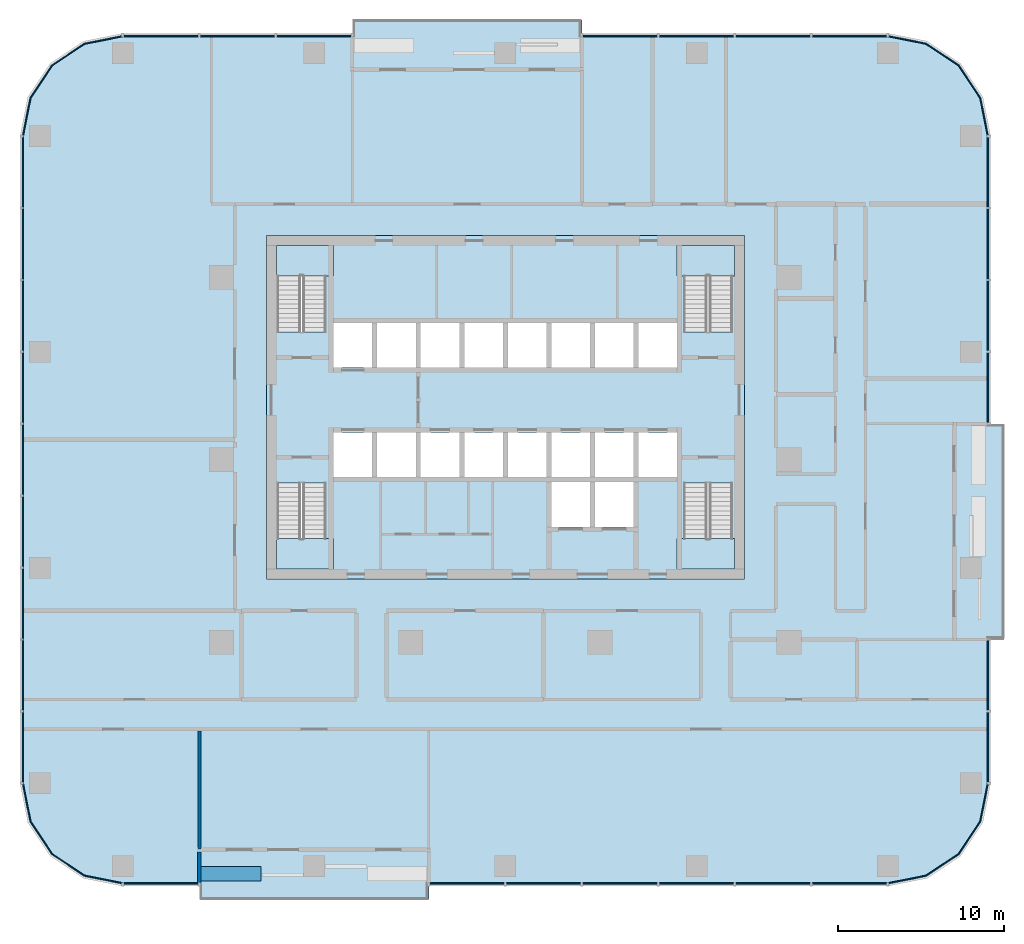
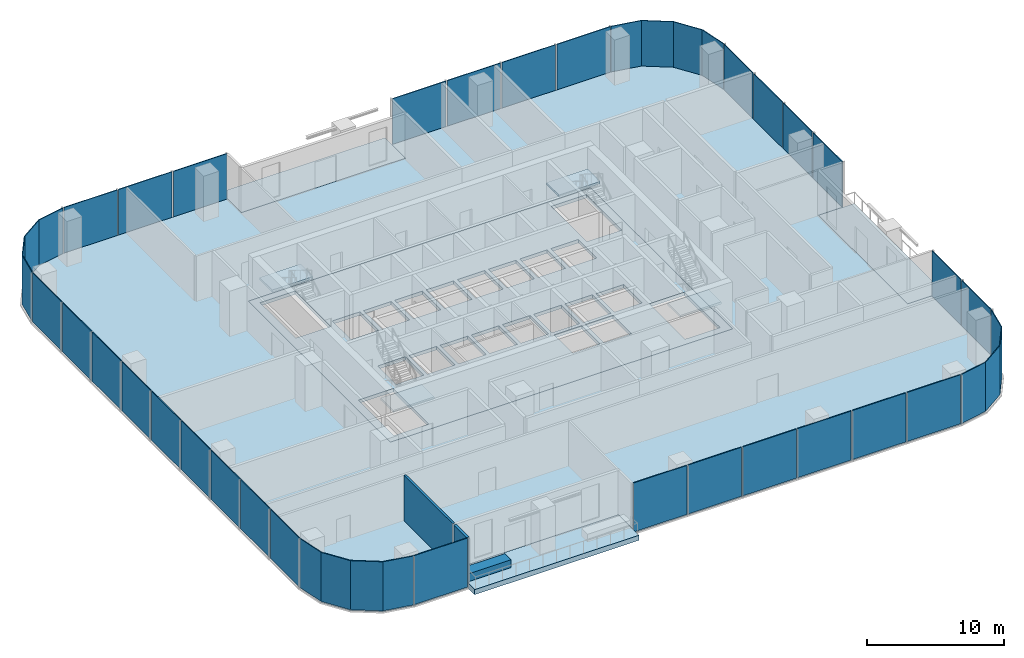
# One storey, part 6 of 14: 33 plates, 9 slabs, 3 walls, 15 elements without a shape of their own.
"""IFC4 building model written with IfcOpenShell, lengths in metres."""

from ifc_helpers import new_model, si_unit, direction, frame, frame_2d, origin, origin_2d, place, context, subcontext, project, spatial, polyline, rectangle, outline, extrude, material, layer, layer_set, type_object, element, aggregate, save


model = new_model("IFC4")

# Units and contexts
model_context = context("Model", 3, precision=1e-05, world=origin(), true_north=direction((0.0, 1.0)))
body_context = subcontext(model_context, "Body", "Model", "MODEL_VIEW")
ifc_project = project(units=[si_unit("LENGTHUNIT", "METRE"), si_unit("AREAUNIT", "SQUARE_METRE"), si_unit("VOLUMEUNIT", "CUBIC_METRE"), si_unit("PLANEANGLEUNIT", "RADIAN"), si_unit("MASSUNIT", "GRAM", prefix="KILO")], contexts=[model_context])

# Site, building, storey
site_placement = place(None, origin())
site = spatial("IfcSite", under=ifc_project, at=site_placement, CompositionType="ELEMENT")
building_placement = place(site_placement, origin())
building = spatial("IfcBuilding", under=site, at=building_placement, Name="Mopane Tessera Tower", CompositionType="ELEMENT")
storey_placement = place(building_placement, frame((0.0, 0.0, 126.10009765625)))
storey = spatial("IfcBuildingStorey", under=building, at=storey_placement, Name="L25", CompositionType="ELEMENT", Elevation=126.10009765625)

# Slab
ifc_material_1 = material(Name="Concrete C40/50", Category="concrete")
ifc_layer_1 = layer(ifc_material_1, 0.300048828125)
ifc_layer_set_1 = layer_set([ifc_layer_1], Name="Concrete C40/50")
slab_type_1 = type_object("IfcSlabType", Name="Core floor slab 300 mm", PredefinedType="FLOOR", material=ifc_layer_set_1)
slab_1_placement = place(storey_placement, frame((0.0, 0.0, -0.300048828125)))
element("IfcSlab", 1, at=slab_1_placement, inside=storey, type_object=slab_type_1, Name="L25 core floor slab", PredefinedType="FLOOR", context=body_context, shape_type="SweptSolid", body=[
    extrude(outline(polyline([(-14.39990234375, -7.199951171875), (14.39990234375, -7.199951171875), (14.39990234375, 13.5), (-14.39990234375, 13.5), (-14.39990234375, -7.199951171875)]), holes=[polyline([(-10.35009765625, -1.050048828125), (-8.02490234375, -1.050048828125), (-8.02490234375, 1.64990234375), (-10.35009765625, 1.64990234375), (-10.35009765625, -1.050048828125)]), polyline([(-7.72509765625, -1.050048828125), (-5.39990234375, -1.050048828125), (-5.39990234375, 1.64990234375), (-7.72509765625, 1.64990234375), (-7.72509765625, -1.050048828125)]), polyline([(-5.10009765625, -1.050048828125), (-2.77490234375, -1.050048828125), (-2.77490234375, 1.64990234375), (-5.10009765625, 1.64990234375), (-5.10009765625, -1.050048828125)]), polyline([(-2.47509765625, -1.050048828125), (-0.14990234375, -1.050048828125), (-0.14990234375, 1.64990234375), (-2.47509765625, 1.64990234375), (-2.47509765625, -1.050048828125)]), polyline([(0.14990234375, -1.050048828125), (2.47509765625, -1.050048828125), (2.47509765625, 1.64990234375), (0.14990234375, 1.64990234375), (0.14990234375, -1.050048828125)]), polyline([(2.77490234375, -1.050048828125), (5.10009765625, -1.050048828125), (5.10009765625, 1.64990234375), (2.77490234375, 1.64990234375), (2.77490234375, -1.050048828125)]), polyline([(5.39990234375, -1.050048828125), (7.72509765625, -1.050048828125), (7.72509765625, 1.64990234375), (5.39990234375, 1.64990234375), (5.39990234375, -1.050048828125)]), polyline([(8.02490234375, -1.050048828125), (10.35009765625, -1.050048828125), (10.35009765625, 1.64990234375), (8.02490234375, 1.64990234375), (8.02490234375, -1.050048828125)]), polyline([(-10.35009765625, 5.550048828125), (-8.02490234375, 5.550048828125), (-8.02490234375, 8.25), (-10.35009765625, 8.25), (-10.35009765625, 5.550048828125)]), polyline([(-7.72509765625, 5.550048828125), (-5.39990234375, 5.550048828125), (-5.39990234375, 8.25), (-7.72509765625, 8.25), (-7.72509765625, 5.550048828125)]), polyline([(-5.10009765625, 5.550048828125), (-2.77490234375, 5.550048828125), (-2.77490234375, 8.25), (-5.10009765625, 8.25), (-5.10009765625, 5.550048828125)]), polyline([(-2.47509765625, 5.550048828125), (-0.14990234375, 5.550048828125), (-0.14990234375, 8.25), (-2.47509765625, 8.25), (-2.47509765625, 5.550048828125)]), polyline([(0.14990234375, 5.550048828125), (2.47509765625, 5.550048828125), (2.47509765625, 8.25), (0.14990234375, 8.25), (0.14990234375, 5.550048828125)]), polyline([(2.77490234375, 5.550048828125), (5.10009765625, 5.550048828125), (5.10009765625, 8.25), (2.77490234375, 8.25), (2.77490234375, 5.550048828125)]), polyline([(5.39990234375, 5.550048828125), (7.72509765625, 5.550048828125), (7.72509765625, 8.25), (5.39990234375, 8.25), (5.39990234375, 5.550048828125)]), polyline([(8.02490234375, 5.550048828125), (10.35009765625, 5.550048828125), (10.35009765625, 8.25), (8.02490234375, 8.25), (8.02490234375, 5.550048828125)]), polyline([(2.77490234375, -4.050048828125), (5.10009765625, -4.050048828125), (5.10009765625, -1.35009765625), (2.77490234375, -1.35009765625), (2.77490234375, -4.050048828125)]), polyline([(5.39990234375, -4.050048828125), (7.72509765625, -4.050048828125), (7.72509765625, -1.35009765625), (5.39990234375, -1.35009765625), (5.39990234375, -4.050048828125)]), polyline([(-13.75, -1.405029296875), (-13.75, -6.60009765625), (-10.800048828125, -6.60009765625), (-10.800048828125, -1.405029296875), (-13.75, -1.405029296875)]), polyline([(-10.800048828125, 7.705078125), (-10.800048828125, 12.89990234375), (-13.75, 12.89990234375), (-13.75, 7.705078125), (-10.800048828125, 7.705078125)]), polyline([(10.75, -1.405029296875), (10.75, -6.60009765625), (13.699951171875, -6.60009765625), (13.699951171875, -1.405029296875), (10.75, -1.405029296875)]), polyline([(13.699951171875, 7.705078125), (13.699951171875, 12.89990234375), (10.75, 12.89990234375), (10.75, 7.705078125), (13.699951171875, 7.705078125)])]), origin(), (0.0, 0.0, 1.0), 0.300048828125),
])

# Stair, slab
ifc_material_2 = material(Name="Concrete C50/60", Category="concrete")
stair_type = type_object("IfcStairType", Name="Escape stair 1400 mm, riser 173 mm", PredefinedType="HALF_TURN_STAIR", material=ifc_material_2)
stair_1_placement = place(storey_placement, origin())
stair_1 = element("IfcStair", 2, at=stair_1_placement, inside=storey, type_object=stair_type, Name="L25 Escape stair south-west", PredefinedType="HALF_TURN_STAIR")
ifc_material_3 = material(Name="Concrete C50/60", Category="concrete")
ifc_layer_2 = layer(ifc_material_3, 0.199951171875)
ifc_layer_set_2 = layer_set([ifc_layer_2], Name="Concrete C50/60")
slab_type_2 = type_object("IfcSlabType", Name="Escape stair landing 200 mm", PredefinedType="LANDING", material=ifc_layer_set_2)
slab_2_placement = place(storey_placement, frame((0.0, 0.0, 2.0498046875)))
slab_2 = element("IfcSlab", 3, at=slab_2_placement, type_object=slab_type_2, Name="ST1 landing 1", PredefinedType="LANDING", context=body_context, shape_type="SweptSolid", body=[
    extrude(outline(polyline([(-13.800048828125, -4.760009765625), (-13.800048828125, -6.60009765625), (-10.35009765625, -6.60009765625), (-10.35009765625, -4.760009765625), (-13.800048828125, -4.760009765625)])), origin(), (0.0, 0.0, 1.0), 0.2001953125),
])
aggregate(stair_1, [slab_2])

stair_2_placement = place(storey_placement, origin())
stair_2 = element("IfcStair", 4, at=stair_2_placement, inside=storey, type_object=stair_type, Name="L25 Escape stair north-west", PredefinedType="HALF_TURN_STAIR")
slab_3_placement = place(storey_placement, frame((0.0, 0.0, 2.0498046875)))
slab_3 = element("IfcSlab", 5, at=slab_3_placement, type_object=slab_type_2, Name="ST2 landing 1", PredefinedType="LANDING", context=body_context, shape_type="SweptSolid", body=[
    extrude(outline(polyline([(-10.35009765625, 11.06005859375), (-10.35009765625, 12.89990234375), (-13.800048828125, 12.89990234375), (-13.800048828125, 11.06005859375), (-10.35009765625, 11.06005859375)])), origin(), (0.0, 0.0, 1.0), 0.2001953125),
])
aggregate(stair_2, [slab_3])

stair_3_placement = place(storey_placement, origin())
stair_3 = element("IfcStair", 6, at=stair_3_placement, inside=storey, type_object=stair_type, Name="L25 Escape stair south-east", PredefinedType="HALF_TURN_STAIR")
slab_4_placement = place(storey_placement, frame((0.0, 0.0, 2.0498046875)))
slab_4 = element("IfcSlab", 7, at=slab_4_placement, type_object=slab_type_2, Name="ST3 landing 1", PredefinedType="LANDING", context=body_context, shape_type="SweptSolid", body=[
    extrude(outline(polyline([(10.35009765625, -4.760009765625), (10.35009765625, -6.60009765625), (13.800048828125, -6.60009765625), (13.800048828125, -4.760009765625), (10.35009765625, -4.760009765625)])), origin(), (0.0, 0.0, 1.0), 0.2001953125),
])
aggregate(stair_3, [slab_4])

stair_4_placement = place(storey_placement, origin())
stair_4 = element("IfcStair", 8, at=stair_4_placement, inside=storey, type_object=stair_type, Name="L25 Escape stair north-east", PredefinedType="HALF_TURN_STAIR")
slab_5_placement = place(storey_placement, frame((0.0, 0.0, 2.0498046875)))
slab_5 = element("IfcSlab", 9, at=slab_5_placement, type_object=slab_type_2, Name="ST4 landing 1", PredefinedType="LANDING", context=body_context, shape_type="SweptSolid", body=[
    extrude(outline(polyline([(13.800048828125, 11.06005859375), (13.800048828125, 12.89990234375), (10.35009765625, 12.89990234375), (10.35009765625, 11.06005859375), (13.800048828125, 11.06005859375)])), origin(), (0.0, 0.0, 1.0), 0.2001953125),
])
aggregate(stair_4, [slab_5])

# Curtain wall, plate
ifc_material_4 = material(Name="Aluminium frame", Category="aluminium")
curtain_wall_type = type_object("IfcCurtainWallType", Name="Lower tower unitised wall", PredefinedType="NOTDEFINED", material=ifc_material_4)
curtain_wall_1_placement = place(storey_placement, origin())
curtain_wall_1 = element("IfcCurtainWall", 10, at=curtain_wall_1_placement, inside=storey, type_object=curtain_wall_type, Name="e:cw:L25:S:0", PredefinedType="NOTDEFINED")
ifc_material_5 = material(Name="Clear laminated glass", Category="glass")
ifc_layer_3 = layer(ifc_material_5, 0.070068359375)
ifc_layer_set_3 = layer_set([ifc_layer_3], Name="Clear laminated glass")
plate_type = type_object("IfcPlateType", Name="Laminated glazed unit 70", PredefinedType="CURTAIN_PANEL", material=ifc_layer_set_3)
plate_1_placement = place(storey_placement, frame((-20.7451171875, -25.534912109375, -0.31005859375), z_axis=(0.0, 0.0, 1.0), x_axis=(1.0, 0.0, 0.0)))
plate_1 = element("IfcPlate", 11, at=plate_1_placement, type_object=plate_type, Name="e:cw:L25:S:0:pn0", PredefinedType="CURTAIN_PANEL", context=body_context, shape_type="SweptSolid", body=[
    extrude(rectangle(XDim=4.5, YDim=0.070068359375, at=origin_2d()), origin(), (0.0, 0.0, 1.0), 4.360107421875),
])
aggregate(curtain_wall_1, [plate_1])

# Curtain wall, plates
curtain_wall_2_placement = place(storey_placement, origin())
curtain_wall_2 = element("IfcCurtainWall", 12, at=curtain_wall_2_placement, inside=storey, type_object=curtain_wall_type, Name="e:cw:L25:S:4", PredefinedType="NOTDEFINED")
plate_2_placement = place(storey_placement, frame((-2.304931640625, -25.534912109375, -0.31005859375), z_axis=(0.0, 0.0, 1.0), x_axis=(1.0, 0.0, 0.0)))
plate_2 = element("IfcPlate", 13, at=plate_2_placement, type_object=plate_type, Name="e:cw:L25:S:4:pn4", PredefinedType="CURTAIN_PANEL", context=body_context, shape_type="SweptSolid", body=[
    extrude(rectangle(XDim=4.5, YDim=0.070068359375, at=origin_2d()), origin(), (0.0, 0.0, 1.0), 4.360107421875),
])
plate_3_placement = place(storey_placement, frame((2.304931640625, -25.534912109375, -0.31005859375), z_axis=(0.0, 0.0, 1.0), x_axis=(1.0, 0.0, 0.0)))
plate_3 = element("IfcPlate", 14, at=plate_3_placement, type_object=plate_type, Name="e:cw:L25:S:4:pn5", PredefinedType="CURTAIN_PANEL", context=body_context, shape_type="SweptSolid", body=[
    extrude(rectangle(XDim=4.5, YDim=0.070068359375, at=origin_2d()), origin(), (0.0, 0.0, 1.0), 4.360107421875),
])
plate_4_placement = place(storey_placement, frame((6.9150390625, -25.534912109375, -0.31005859375), z_axis=(0.0, 0.0, 1.0), x_axis=(1.0, 0.0, 0.0)))
plate_4 = element("IfcPlate", 15, at=plate_4_placement, type_object=plate_type, Name="e:cw:L25:S:4:pn6", PredefinedType="CURTAIN_PANEL", context=body_context, shape_type="SweptSolid", body=[
    extrude(rectangle(XDim=4.5, YDim=0.070068359375, at=origin_2d()), origin(), (0.0, 0.0, 1.0), 4.360107421875),
])
plate_5_placement = place(storey_placement, frame((11.52490234375, -25.534912109375, -0.31005859375), z_axis=(0.0, 0.0, 1.0), x_axis=(1.0, 0.0, 0.0)))
plate_5 = element("IfcPlate", 16, at=plate_5_placement, type_object=plate_type, Name="e:cw:L25:S:4:pn7", PredefinedType="CURTAIN_PANEL", context=body_context, shape_type="SweptSolid", body=[
    extrude(rectangle(XDim=4.5, YDim=0.070068359375, at=origin_2d()), origin(), (0.0, 0.0, 1.0), 4.360107421875),
])
plate_6_placement = place(storey_placement, frame((16.135009765625, -25.534912109375, -0.31005859375), z_axis=(0.0, 0.0, 1.0), x_axis=(1.0, 0.0, 0.0)))
plate_6 = element("IfcPlate", 17, at=plate_6_placement, type_object=plate_type, Name="e:cw:L25:S:4:pn8", PredefinedType="CURTAIN_PANEL", context=body_context, shape_type="SweptSolid", body=[
    extrude(rectangle(XDim=4.5, YDim=0.070068359375, at=origin_2d()), origin(), (0.0, 0.0, 1.0), 4.360107421875),
])
plate_7_placement = place(storey_placement, frame((20.7451171875, -25.534912109375, -0.31005859375), z_axis=(0.0, 0.0, 1.0), x_axis=(1.0, 0.0, 0.0)))
plate_7 = element("IfcPlate", 18, at=plate_7_placement, type_object=plate_type, Name="e:cw:L25:S:4:pn9", PredefinedType="CURTAIN_PANEL", context=body_context, shape_type="SweptSolid", body=[
    extrude(rectangle(XDim=4.5, YDim=0.070068359375, at=origin_2d()), origin(), (0.0, 0.0, 1.0), 4.360107421875),
])
aggregate(curtain_wall_2, [plate_2, plate_3, plate_4, plate_5, plate_6, plate_7])

# Curtain wall, plate
curtain_wall_3_placement = place(storey_placement, origin())
curtain_wall_3 = element("IfcCurtainWall", 19, at=curtain_wall_3_placement, inside=storey, type_object=curtain_wall_type, Name="e:cw:L25:CS", PredefinedType="NOTDEFINED")
plate_8_placement = place(storey_placement, frame((0.0, 0.0, -0.31005859375)))
plate_8 = element("IfcPlate", 20, at=plate_8_placement, type_object=plate_type, Name="e:cw:L25:CS:pn", PredefinedType="CURTAIN_PANEL", context=body_context, shape_type="SweptSolid", body=[
    extrude(outline(polyline([(23.050048828125, -25.5), (25.34619140625, -25.043212890625), (27.292724609375, -23.74267578125), (28.59326171875, -21.796142578125), (29.050048828125, -19.5), (29.1201171875, -19.5), (28.657958984375, -21.822998046875), (27.342041015625, -23.792236328125), (25.372802734375, -25.10791015625), (23.050048828125, -25.570068359375), (23.050048828125, -25.5)])), origin(), (0.0, 0.0, 1.0), 4.35986328125),
])
aggregate(curtain_wall_3, [plate_8])

# Curtain wall, plates
curtain_wall_4_placement = place(storey_placement, origin())
curtain_wall_4 = element("IfcCurtainWall", 21, at=curtain_wall_4_placement, inside=storey, type_object=curtain_wall_type, Name="e:cw:L25:E:0", PredefinedType="NOTDEFINED")
plate_9_placement = place(storey_placement, frame((29.0849609375, -17.333251953125, -0.31005859375), z_axis=(0.0, 0.0, 1.0), x_axis=(0.0, 1.0, 0.0)))
plate_9 = element("IfcPlate", 22, at=plate_9_placement, type_object=plate_type, Name="e:cw:L25:E:0:pn0", PredefinedType="CURTAIN_PANEL", context=body_context, shape_type="SweptSolid", body=[
    extrude(rectangle(XDim=4.223388671875, YDim=0.070068359375, at=origin_2d()), origin(), (0.0, 0.0, 1.0), 4.360107421875),
])
plate_10_placement = place(storey_placement, frame((29.0849609375, -13.0, -0.31005859375), z_axis=(0.0, 0.0, 1.0), x_axis=(0.0, 1.0, 0.0)))
plate_10 = element("IfcPlate", 23, at=plate_10_placement, type_object=plate_type, Name="e:cw:L25:E:0:pn1", PredefinedType="CURTAIN_PANEL", context=body_context, shape_type="SweptSolid", body=[
    extrude(rectangle(XDim=4.223388671875, YDim=0.070068359375, at=origin_2d()), origin(), (0.0, 0.0, 1.0), 4.360107421875),
])
aggregate(curtain_wall_4, [plate_9, plate_10])

curtain_wall_5_placement = place(storey_placement, origin())
curtain_wall_5 = element("IfcCurtainWall", 24, at=curtain_wall_5_placement, inside=storey, type_object=curtain_wall_type, Name="e:cw:L25:E:5", PredefinedType="NOTDEFINED")
plate_11_placement = place(storey_placement, frame((29.0849609375, 4.333251953125, -0.31005859375), z_axis=(0.0, 0.0, 1.0), x_axis=(0.0, 1.0, 0.0)))
plate_11 = element("IfcPlate", 25, at=plate_11_placement, type_object=plate_type, Name="e:cw:L25:E:5:pn5", PredefinedType="CURTAIN_PANEL", context=body_context, shape_type="SweptSolid", body=[
    extrude(rectangle(XDim=4.223388671875, YDim=0.070068359375, at=origin_2d()), origin(), (0.0, 0.0, 1.0), 4.360107421875),
])
plate_12_placement = place(storey_placement, frame((29.0849609375, 8.666748046875, -0.31005859375), z_axis=(0.0, 0.0, 1.0), x_axis=(0.0, 1.0, 0.0)))
plate_12 = element("IfcPlate", 26, at=plate_12_placement, type_object=plate_type, Name="e:cw:L25:E:5:pn6", PredefinedType="CURTAIN_PANEL", context=body_context, shape_type="SweptSolid", body=[
    extrude(rectangle(XDim=4.223388671875, YDim=0.070068359375, at=origin_2d()), origin(), (0.0, 0.0, 1.0), 4.360107421875),
])
plate_13_placement = place(storey_placement, frame((29.0849609375, 13.0, -0.31005859375), z_axis=(0.0, 0.0, 1.0), x_axis=(0.0, 1.0, 0.0)))
plate_13 = element("IfcPlate", 27, at=plate_13_placement, type_object=plate_type, Name="e:cw:L25:E:5:pn7", PredefinedType="CURTAIN_PANEL", context=body_context, shape_type="SweptSolid", body=[
    extrude(rectangle(XDim=4.223388671875, YDim=0.070068359375, at=origin_2d()), origin(), (0.0, 0.0, 1.0), 4.360107421875),
])
plate_14_placement = place(storey_placement, frame((29.0849609375, 17.333251953125, -0.31005859375), z_axis=(0.0, 0.0, 1.0), x_axis=(0.0, 1.0, 0.0)))
plate_14 = element("IfcPlate", 28, at=plate_14_placement, type_object=plate_type, Name="e:cw:L25:E:5:pn8", PredefinedType="CURTAIN_PANEL", context=body_context, shape_type="SweptSolid", body=[
    extrude(rectangle(XDim=4.223388671875, YDim=0.070068359375, at=origin_2d()), origin(), (0.0, 0.0, 1.0), 4.360107421875),
])
aggregate(curtain_wall_5, [plate_11, plate_12, plate_13, plate_14])

# Curtain wall, plate
curtain_wall_6_placement = place(storey_placement, origin())
curtain_wall_6 = element("IfcCurtainWall", 29, at=curtain_wall_6_placement, inside=storey, type_object=curtain_wall_type, Name="e:cw:L25:CE", PredefinedType="NOTDEFINED")
plate_15_placement = place(storey_placement, frame((0.0, 0.0, -0.31005859375)))
plate_15 = element("IfcPlate", 30, at=plate_15_placement, type_object=plate_type, Name="e:cw:L25:CE:pn", PredefinedType="CURTAIN_PANEL", context=body_context, shape_type="SweptSolid", body=[
    extrude(outline(polyline([(29.050048828125, 19.5), (28.59326171875, 21.796142578125), (27.292724609375, 23.74267578125), (25.34619140625, 25.043212890625), (23.050048828125, 25.5), (23.050048828125, 25.570068359375), (25.372802734375, 25.10791015625), (27.342041015625, 23.792236328125), (28.657958984375, 21.822998046875), (29.1201171875, 19.5), (29.050048828125, 19.5)])), origin(), (0.0, 0.0, 1.0), 4.35986328125),
])
aggregate(curtain_wall_6, [plate_15])

# Curtain wall, plates
curtain_wall_7_placement = place(storey_placement, origin())
curtain_wall_7 = element("IfcCurtainWall", 31, at=curtain_wall_7_placement, inside=storey, type_object=curtain_wall_type, Name="e:cw:L25:N:0", PredefinedType="NOTDEFINED")
plate_16_placement = place(storey_placement, frame((20.7451171875, 25.534912109375, -0.31005859375), z_axis=(0.0, 0.0, 1.0), x_axis=(-1.0, 0.0, 0.0)))
plate_16 = element("IfcPlate", 32, at=plate_16_placement, type_object=plate_type, Name="e:cw:L25:N:0:pn0", PredefinedType="CURTAIN_PANEL", context=body_context, shape_type="SweptSolid", body=[
    extrude(rectangle(XDim=4.5, YDim=0.070068359375, at=origin_2d()), origin(), (0.0, 0.0, 1.0), 4.360107421875),
])
plate_17_placement = place(storey_placement, frame((16.135009765625, 25.534912109375, -0.31005859375), z_axis=(0.0, 0.0, 1.0), x_axis=(-1.0, 0.0, 0.0)))
plate_17 = element("IfcPlate", 33, at=plate_17_placement, type_object=plate_type, Name="e:cw:L25:N:0:pn1", PredefinedType="CURTAIN_PANEL", context=body_context, shape_type="SweptSolid", body=[
    extrude(rectangle(XDim=4.5, YDim=0.070068359375, at=origin_2d()), origin(), (0.0, 0.0, 1.0), 4.360107421875),
])
plate_18_placement = place(storey_placement, frame((11.52490234375, 25.534912109375, -0.31005859375), z_axis=(0.0, 0.0, 1.0), x_axis=(-1.0, 0.0, 0.0)))
plate_18 = element("IfcPlate", 34, at=plate_18_placement, type_object=plate_type, Name="e:cw:L25:N:0:pn2", PredefinedType="CURTAIN_PANEL", context=body_context, shape_type="SweptSolid", body=[
    extrude(rectangle(XDim=4.5, YDim=0.070068359375, at=origin_2d()), origin(), (0.0, 0.0, 1.0), 4.360107421875),
])
plate_19_placement = place(storey_placement, frame((6.9150390625, 25.534912109375, -0.31005859375), z_axis=(0.0, 0.0, 1.0), x_axis=(-1.0, 0.0, 0.0)))
plate_19 = element("IfcPlate", 35, at=plate_19_placement, type_object=plate_type, Name="e:cw:L25:N:0:pn3", PredefinedType="CURTAIN_PANEL", context=body_context, shape_type="SweptSolid", body=[
    extrude(rectangle(XDim=4.5, YDim=0.070068359375, at=origin_2d()), origin(), (0.0, 0.0, 1.0), 4.360107421875),
])
aggregate(curtain_wall_7, [plate_16, plate_17, plate_18, plate_19])

curtain_wall_8_placement = place(storey_placement, origin())
curtain_wall_8 = element("IfcCurtainWall", 36, at=curtain_wall_8_placement, inside=storey, type_object=curtain_wall_type, Name="e:cw:L25:N:7", PredefinedType="NOTDEFINED")
plate_20_placement = place(storey_placement, frame((-11.52490234375, 25.534912109375, -0.31005859375), z_axis=(0.0, 0.0, 1.0), x_axis=(-1.0, 0.0, 0.0)))
plate_20 = element("IfcPlate", 37, at=plate_20_placement, type_object=plate_type, Name="e:cw:L25:N:7:pn7", PredefinedType="CURTAIN_PANEL", context=body_context, shape_type="SweptSolid", body=[
    extrude(rectangle(XDim=4.5, YDim=0.070068359375, at=origin_2d()), origin(), (0.0, 0.0, 1.0), 4.360107421875),
])
plate_21_placement = place(storey_placement, frame((-16.135009765625, 25.534912109375, -0.31005859375), z_axis=(0.0, 0.0, 1.0), x_axis=(-1.0, 0.0, 0.0)))
plate_21 = element("IfcPlate", 38, at=plate_21_placement, type_object=plate_type, Name="e:cw:L25:N:7:pn8", PredefinedType="CURTAIN_PANEL", context=body_context, shape_type="SweptSolid", body=[
    extrude(rectangle(XDim=4.5, YDim=0.070068359375, at=origin_2d()), origin(), (0.0, 0.0, 1.0), 4.360107421875),
])
plate_22_placement = place(storey_placement, frame((-20.7451171875, 25.534912109375, -0.31005859375), z_axis=(0.0, 0.0, 1.0), x_axis=(-1.0, 0.0, 0.0)))
plate_22 = element("IfcPlate", 39, at=plate_22_placement, type_object=plate_type, Name="e:cw:L25:N:7:pn9", PredefinedType="CURTAIN_PANEL", context=body_context, shape_type="SweptSolid", body=[
    extrude(rectangle(XDim=4.5, YDim=0.070068359375, at=origin_2d()), origin(), (0.0, 0.0, 1.0), 4.360107421875),
])
aggregate(curtain_wall_8, [plate_20, plate_21, plate_22])

# Curtain wall, plate
curtain_wall_9_placement = place(storey_placement, origin())
curtain_wall_9 = element("IfcCurtainWall", 40, at=curtain_wall_9_placement, inside=storey, type_object=curtain_wall_type, Name="e:cw:L25:CN", PredefinedType="NOTDEFINED")
plate_23_placement = place(storey_placement, frame((0.0, 0.0, -0.31005859375)))
plate_23 = element("IfcPlate", 41, at=plate_23_placement, type_object=plate_type, Name="e:cw:L25:CN:pn", PredefinedType="CURTAIN_PANEL", context=body_context, shape_type="SweptSolid", body=[
    extrude(outline(polyline([(-23.050048828125, 25.5), (-25.34619140625, 25.043212890625), (-27.292724609375, 23.74267578125), (-28.59326171875, 21.796142578125), (-29.050048828125, 19.5), (-29.1201171875, 19.5), (-28.657958984375, 21.822998046875), (-27.342041015625, 23.792236328125), (-25.372802734375, 25.10791015625), (-23.050048828125, 25.570068359375), (-23.050048828125, 25.5)])), origin(), (0.0, 0.0, 1.0), 4.35986328125),
])
aggregate(curtain_wall_9, [plate_23])

# Curtain wall, plates
curtain_wall_10_placement = place(storey_placement, origin())
curtain_wall_10 = element("IfcCurtainWall", 42, at=curtain_wall_10_placement, inside=storey, type_object=curtain_wall_type, Name="e:cw:L25:W:0", PredefinedType="NOTDEFINED")
plate_24_placement = place(storey_placement, frame((-29.0849609375, 17.333251953125, -0.31005859375), z_axis=(0.0, 0.0, 1.0), x_axis=(0.0, -1.0, 0.0)))
plate_24 = element("IfcPlate", 43, at=plate_24_placement, type_object=plate_type, Name="e:cw:L25:W:0:pn0", PredefinedType="CURTAIN_PANEL", context=body_context, shape_type="SweptSolid", body=[
    extrude(rectangle(XDim=4.223388671875, YDim=0.070068359375, at=origin_2d()), origin(), (0.0, 0.0, 1.0), 4.360107421875),
])
plate_25_placement = place(storey_placement, frame((-29.0849609375, 13.0, -0.31005859375), z_axis=(0.0, 0.0, 1.0), x_axis=(0.0, -1.0, 0.0)))
plate_25 = element("IfcPlate", 44, at=plate_25_placement, type_object=plate_type, Name="e:cw:L25:W:0:pn1", PredefinedType="CURTAIN_PANEL", context=body_context, shape_type="SweptSolid", body=[
    extrude(rectangle(XDim=4.223388671875, YDim=0.070068359375, at=origin_2d()), origin(), (0.0, 0.0, 1.0), 4.360107421875),
])
plate_26_placement = place(storey_placement, frame((-29.0849609375, 8.666748046875, -0.31005859375), z_axis=(0.0, 0.0, 1.0), x_axis=(0.0, -1.0, 0.0)))
plate_26 = element("IfcPlate", 45, at=plate_26_placement, type_object=plate_type, Name="e:cw:L25:W:0:pn2", PredefinedType="CURTAIN_PANEL", context=body_context, shape_type="SweptSolid", body=[
    extrude(rectangle(XDim=4.223388671875, YDim=0.070068359375, at=origin_2d()), origin(), (0.0, 0.0, 1.0), 4.360107421875),
])
plate_27_placement = place(storey_placement, frame((-29.0849609375, 4.333251953125, -0.31005859375), z_axis=(0.0, 0.0, 1.0), x_axis=(0.0, -1.0, 0.0)))
plate_27 = element("IfcPlate", 46, at=plate_27_placement, type_object=plate_type, Name="e:cw:L25:W:0:pn3", PredefinedType="CURTAIN_PANEL", context=body_context, shape_type="SweptSolid", body=[
    extrude(rectangle(XDim=4.223388671875, YDim=0.070068359375, at=origin_2d()), origin(), (0.0, 0.0, 1.0), 4.360107421875),
])
plate_28_placement = place(storey_placement, frame((-29.0849609375, 0.0, -0.31005859375), z_axis=(0.0, 0.0, 1.0), x_axis=(0.0, -1.0, 0.0)))
plate_28 = element("IfcPlate", 47, at=plate_28_placement, type_object=plate_type, Name="e:cw:L25:W:0:pn4", PredefinedType="CURTAIN_PANEL", context=body_context, shape_type="SweptSolid", body=[
    extrude(rectangle(XDim=4.223388671875, YDim=0.070068359375, at=origin_2d()), origin(), (0.0, 0.0, 1.0), 4.360107421875),
])
plate_29_placement = place(storey_placement, frame((-29.0849609375, -4.333251953125, -0.31005859375), z_axis=(0.0, 0.0, 1.0), x_axis=(0.0, -1.0, 0.0)))
plate_29 = element("IfcPlate", 48, at=plate_29_placement, type_object=plate_type, Name="e:cw:L25:W:0:pn5", PredefinedType="CURTAIN_PANEL", context=body_context, shape_type="SweptSolid", body=[
    extrude(rectangle(XDim=4.223388671875, YDim=0.070068359375, at=origin_2d()), origin(), (0.0, 0.0, 1.0), 4.360107421875),
])
plate_30_placement = place(storey_placement, frame((-29.0849609375, -8.666748046875, -0.31005859375), z_axis=(0.0, 0.0, 1.0), x_axis=(0.0, -1.0, 0.0)))
plate_30 = element("IfcPlate", 49, at=plate_30_placement, type_object=plate_type, Name="e:cw:L25:W:0:pn6", PredefinedType="CURTAIN_PANEL", context=body_context, shape_type="SweptSolid", body=[
    extrude(rectangle(XDim=4.223388671875, YDim=0.070068359375, at=origin_2d()), origin(), (0.0, 0.0, 1.0), 4.360107421875),
])
plate_31_placement = place(storey_placement, frame((-29.0849609375, -13.0, -0.31005859375), z_axis=(0.0, 0.0, 1.0), x_axis=(0.0, -1.0, 0.0)))
plate_31 = element("IfcPlate", 50, at=plate_31_placement, type_object=plate_type, Name="e:cw:L25:W:0:pn7", PredefinedType="CURTAIN_PANEL", context=body_context, shape_type="SweptSolid", body=[
    extrude(rectangle(XDim=4.223388671875, YDim=0.070068359375, at=origin_2d()), origin(), (0.0, 0.0, 1.0), 4.360107421875),
])
plate_32_placement = place(storey_placement, frame((-29.0849609375, -17.333251953125, -0.31005859375), z_axis=(0.0, 0.0, 1.0), x_axis=(0.0, -1.0, 0.0)))
plate_32 = element("IfcPlate", 51, at=plate_32_placement, type_object=plate_type, Name="e:cw:L25:W:0:pn8", PredefinedType="CURTAIN_PANEL", context=body_context, shape_type="SweptSolid", body=[
    extrude(rectangle(XDim=4.223388671875, YDim=0.070068359375, at=origin_2d()), origin(), (0.0, 0.0, 1.0), 4.360107421875),
])
aggregate(curtain_wall_10, [plate_24, plate_25, plate_26, plate_27, plate_28, plate_29, plate_30, plate_31, plate_32])

# Curtain wall, plate
curtain_wall_11_placement = place(storey_placement, origin())
curtain_wall_11 = element("IfcCurtainWall", 52, at=curtain_wall_11_placement, inside=storey, type_object=curtain_wall_type, Name="e:cw:L25:CW", PredefinedType="NOTDEFINED")
plate_33_placement = place(storey_placement, frame((0.0, 0.0, -0.31005859375)))
plate_33 = element("IfcPlate", 53, at=plate_33_placement, type_object=plate_type, Name="e:cw:L25:CW:pn", PredefinedType="CURTAIN_PANEL", context=body_context, shape_type="SweptSolid", body=[
    extrude(outline(polyline([(-29.050048828125, -19.5), (-28.59326171875, -21.796142578125), (-27.292724609375, -23.74267578125), (-25.34619140625, -25.043212890625), (-23.050048828125, -25.5), (-23.050048828125, -25.570068359375), (-25.372802734375, -25.10791015625), (-27.342041015625, -23.792236328125), (-28.657958984375, -21.822998046875), (-29.1201171875, -19.5), (-29.050048828125, -19.5)])), origin(), (0.0, 0.0, 1.0), 4.35986328125),
])
aggregate(curtain_wall_11, [plate_33])

# Slabs
ifc_material_6 = material(Name="Concrete C40/50", Category="concrete")
ifc_layer_4 = layer(ifc_material_6, 0.449951171875)
ifc_layer_set_4 = layer_set([ifc_layer_4], Name="Concrete C40/50")
slab_type_3 = type_object("IfcSlabType", Name="Planted terrace slab 450 mm", PredefinedType="FLOOR", material=ifc_layer_set_4)
slab_6_placement = place(storey_placement, frame((0.0, 0.0, -0.4501953125)))
element("IfcSlab", 54, at=slab_6_placement, inside=storey, type_object=slab_type_3, Name="Terrace slab N1 L25", PredefinedType="FLOOR", context=body_context, shape_type="SweptSolid", body=[
    extrude(outline(polyline([(-9.219970703125, 26.5), (-9.219970703125, 23.5), (4.610107421875, 23.5), (4.610107421875, 26.5), (-9.219970703125, 26.5)])), origin(), (0.0, 0.0, 1.0), 0.4501953125),
])
slab_7_placement = place(storey_placement, frame((0.0, 0.0, -0.4501953125)))
element("IfcSlab", 55, at=slab_7_placement, inside=storey, type_object=slab_type_3, Name="Terrace slab N2 L25", PredefinedType="FLOOR", context=body_context, shape_type="SweptSolid", body=[
    extrude(outline(polyline([(-4.610107421875, -26.5), (-4.610107421875, -23.5), (-18.43994140625, -23.5), (-18.43994140625, -26.5), (-4.610107421875, -26.5)])), origin(), (0.0, 0.0, 1.0), 0.4501953125),
])
slab_8_placement = place(storey_placement, frame((0.0, 0.0, -0.4501953125)))
element("IfcSlab", 56, at=slab_8_placement, inside=storey, type_object=slab_type_3, Name="Terrace slab N3 L25", PredefinedType="FLOOR", context=body_context, shape_type="SweptSolid", body=[
    extrude(outline(polyline([(30.050048828125, 2.166748046875), (27.050048828125, 2.166748046875), (27.050048828125, -10.833251953125), (30.050048828125, -10.833251953125), (30.050048828125, 2.166748046875)])), origin(), (0.0, 0.0, 1.0), 0.4501953125),
])
ifc_material_7 = material(Name="Concrete C40/50", Category="concrete")
ifc_layer_5 = layer(ifc_material_7, 0.449951171875)
ifc_layer_set_5 = layer_set([ifc_layer_5], Name="Concrete C40/50")
slab_type_4 = type_object("IfcSlabType", Name="Post-tensioned flat plate 450 mm", PredefinedType="FLOOR", material=ifc_layer_set_5)
slab_9_placement = place(storey_placement, frame((0.0, 0.0, -0.4501953125)))
element("IfcSlab", 57, at=slab_9_placement, inside=storey, type_object=slab_type_4, Name="Floor slab L25", PredefinedType="FLOOR", context=body_context, shape_type="SweptSolid", body=[
    extrude(outline(polyline([(-23.050048828125, -25.5), (-18.43994140625, -25.5), (-18.43994140625, -23.5), (-4.610107421875, -23.5), (-4.610107421875, -25.5), (23.050048828125, -25.5), (25.34619140625, -25.043212890625), (27.292724609375, -23.74267578125), (28.59326171875, -21.796142578125), (29.050048828125, -19.5), (29.050048828125, -10.833251953125), (27.050048828125, -10.833251953125), (27.050048828125, 2.166748046875), (29.050048828125, 2.166748046875), (29.050048828125, 19.5), (28.59326171875, 21.796142578125), (27.292724609375, 23.74267578125), (25.34619140625, 25.043212890625), (23.050048828125, 25.5), (4.610107421875, 25.5), (4.610107421875, 23.5), (-9.219970703125, 23.5), (-9.219970703125, 25.5), (-23.050048828125, 25.5), (-25.34619140625, 25.043212890625), (-27.292724609375, 23.74267578125), (-28.59326171875, 21.796142578125), (-29.050048828125, 19.5), (-29.050048828125, -19.5), (-28.59326171875, -21.796142578125), (-27.292724609375, -23.74267578125), (-25.34619140625, -25.043212890625), (-23.050048828125, -25.5)]), holes=[polyline([(14.39990234375, -7.199951171875), (-14.39990234375, -7.199951171875), (-14.39990234375, 13.5), (14.39990234375, 13.5), (14.39990234375, -7.199951171875)])]), origin(), (0.0, 0.0, 1.0), 0.4501953125),
])

# Walls
ifc_material_8 = material(Name="Gypsum board on staggered steel studs, double layer each face, acoustic mineral wool infill", Category="steel")
ifc_layer_6 = layer(ifc_material_8, 0.175048828125)
ifc_layer_set_6 = layer_set([ifc_layer_6], Name="Gypsum board on staggered steel studs, double layer each face, acoustic mineral wool infill")
wall_type_1 = type_object("IfcWallType", Name="Gypsum board acoustic partition 175, rated EI 60", PredefinedType="PARTITIONING", material=ifc_layer_set_6)
wall_1_placement = place(storey_placement, frame((-18.43994140625, -23.449951171875, 0.0), z_axis=(0.0, 0.0, 1.0), x_axis=(0.0, 1.0, 0.0)))
element("IfcWall", 58, at=wall_1_placement, inside=storey, type_object=wall_type_1, Name="Partition L25:032", PredefinedType="PARTITIONING", context=body_context, shape_type="SweptSolid", body=[
    extrude(rectangle(XDim=7.099853515625, YDim=0.175048828125, at=frame_2d((3.5498046875, 0.0))), origin(), (0.0, 0.0, 1.0), 4.0498046875),
])
ifc_material_9 = material(Name="Reinforced concrete C32/40 with waterproofing", Category="concrete")
ifc_layer_7 = layer(ifc_material_9, 0.89990234375)
ifc_layer_set_7 = layer_set([ifc_layer_7], Name="Reinforced concrete C32/40 with waterproofing")
wall_type_2 = type_object("IfcWallType", Name="Planter trough 3600 x 900", PredefinedType="STANDARD", material=ifc_layer_set_7)
wall_2_placement = place(storey_placement, frame((-18.340087890625, -24.949951171875, 0.0), z_axis=(0.0, 0.0, 1.0), x_axis=(1.0, 0.0, 0.0)))
element("IfcWall", 59, at=wall_2_placement, inside=storey, type_object=wall_type_2, Name="e:nw:L25:N2:pl0", PredefinedType="STANDARD", context=body_context, shape_type="SweptSolid", body=[
    extrude(rectangle(XDim=3.60009765625, YDim=0.89990234375, at=frame_2d((1.800048828125, 0.0))), origin(), (0.0, 0.0, 1.0), 0.699951171875),
])
ifc_material_10 = material(Name="Blockwork with glazed tile facing", Category="masonry")
ifc_layer_8 = layer(ifc_material_10, 0.199951171875)
ifc_layer_set_8 = layer_set([ifc_layer_8], Name="Blockwork with glazed tile facing")
wall_type_3 = type_object("IfcWallType", Name="Terrace cheek wall 200", PredefinedType="STANDARD", material=ifc_layer_set_8)
wall_3_placement = place(storey_placement, frame((-18.43994140625, -25.5, 0.0), z_axis=(0.0, 0.0, 1.0), x_axis=(0.0, 1.0, 0.0)))
element("IfcWall", 60, at=wall_3_placement, inside=storey, type_object=wall_type_3, Name="e:nw:L25:N2:cheeka", PredefinedType="STANDARD", context=body_context, shape_type="SweptSolid", body=[
    extrude(rectangle(XDim=1.875, YDim=0.199951171875, at=frame_2d((0.9375, 0.0))), origin(), (0.0, 0.0, 1.0), 4.0498046875),
])

save(model, "model.ifc")
